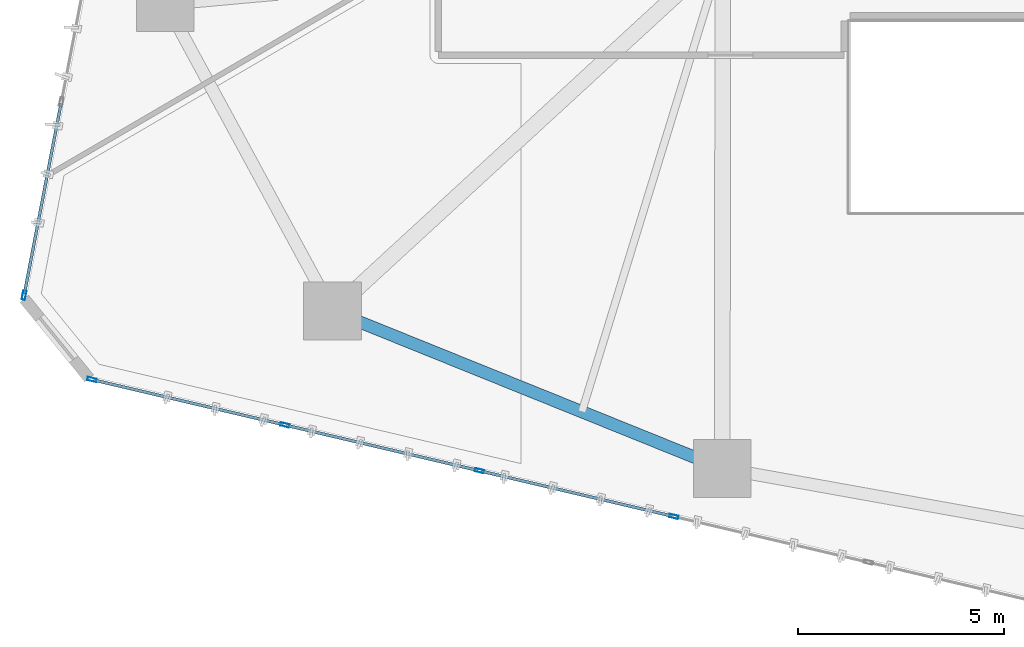
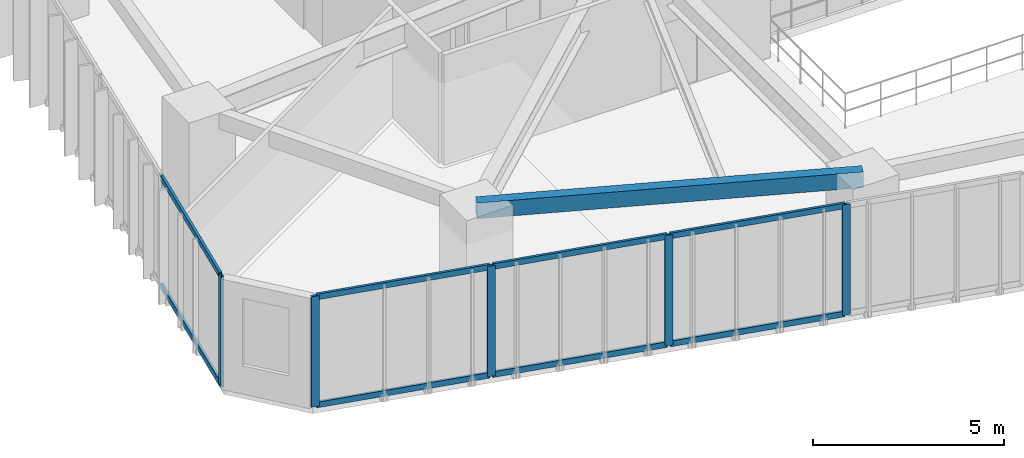
# One storey, part 2 of 23: 13 members, 1 beam, 2 elements without a shape of their own.
"""IFC4 building model written with IfcOpenShell, lengths in metres."""

from ifc_helpers import new_model, si_unit, direction, frame, origin, origin_2d, place, context, subcontext, project, spatial, hollow_rectangle, extrude, source, transform, mapped, material, layer, layer_set, material_profile, profile_set, type_object, type_shapes, element, aggregate, save


model = new_model("IFC4")

# Units and contexts
model_context = context("Model", 3, precision=1e-05, world=origin(), true_north=direction((0.0, 1.0)))
body_context = subcontext(model_context, "Body", "Model", "MODEL_VIEW")
ifc_project = project(units=[si_unit("LENGTHUNIT", "METRE"), si_unit("AREAUNIT", "SQUARE_METRE"), si_unit("VOLUMEUNIT", "CUBIC_METRE"), si_unit("PLANEANGLEUNIT", "RADIAN"), si_unit("MASSUNIT", "GRAM", prefix="KILO")], contexts=[model_context])

# Site, building, storey
site_placement = place(None, origin())
site = spatial("IfcSite", under=ifc_project, at=site_placement, CompositionType="ELEMENT")
building_placement = place(site_placement, origin())
building = spatial("IfcBuilding", under=site, at=building_placement, Name="Talar Marvaseh", CompositionType="ELEMENT")
storey_placement = place(building_placement, frame((0.0, 0.0, 50.60009765625)))
storey = spatial("IfcBuildingStorey", under=building, at=storey_placement, Name="L12", CompositionType="ELEMENT", Elevation=50.60009765625)

# Beam
ifc_material_1 = material(Name="Steel S355", Category="steel")
ifc_material_profile_1 = material_profile(ifc_material_1, hollow_rectangle(XDim=0.300048828125, YDim=0.5, WallThickness=0.02001953125, at=origin_2d()), Name="RHS500x300x20")
ifc_profile_set_1 = profile_set([ifc_material_profile_1], Name="Steel S355")
beam_type = type_object("IfcBeamType", Name="Zone 1 Perimeter Spandrel Beam RHS500x300x20", PredefinedType="SPANDREL", material=ifc_profile_set_1)
beam_placement = place(storey_placement, frame((18.68310546875, 12.97900390625, 3.27001953125), z_axis=(-0.927239278118, 0.374469386084, 0.0), x_axis=(-0.374469386084, -0.927239278118, 0.0)))
element("IfcBeam", 1, at=beam_placement, inside=storey, type_object=beam_type, Name="L12 Zone 1 Perimeter Spandrel Beam RHS500x300x20", PredefinedType="SPANDREL", context=body_context, shape_type="SweptSolid", body=[
    extrude(hollow_rectangle(XDim=0.300048828125, YDim=0.5, WallThickness=0.02001953125, at=origin_2d()), origin(), (0.0, 0.0, 1.0), 10.19287109375),
])

# Curtain wall, member
ifc_material_2 = material(Name="Architectural Aluminium", Category="aluminium")
ifc_layer = layer(ifc_material_2, 0.219970703125)
ifc_layer_set = layer_set([ifc_layer], Name="Architectural Aluminium")
curtain_wall_type = type_object("IfcCurtainWallType", Name="Unitised Low-E Museum Curtain Wall Z1", PredefinedType="NOTDEFINED", material=ifc_layer_set)
curtain_wall_1_placement = place(storey_placement, origin())
curtain_wall_1 = element("IfcCurtainWall", 2, at=curtain_wall_1_placement, inside=storey, type_object=curtain_wall_type, Name="L12 Unitised Low-E Museum Curtain Wall Z1", PredefinedType="NOTDEFINED")
ifc_material_profile_2 = material_profile(ifc_material_2, hollow_rectangle(XDim=0.080078125, YDim=0.219970703125, WallThickness=0.0048828125, at=origin_2d()), Name="RHS220x80x5")
ifc_profile_set_2 = profile_set([ifc_material_profile_2], Name="Architectural Aluminium")
member_type_1 = type_object("IfcMemberType", Name="Unitised Curtain Wall Heavy Mullion RHS220x80x5", PredefinedType="MULLION", material=ifc_profile_set_2)
shared_shape_1 = source(origin(), body_context, "Body", "SweptSolid", [
    extrude(hollow_rectangle(XDim=0.080078125, YDim=0.219970703125, WallThickness=0.0048828125, at=origin_2d()), origin(), (0.0, 0.0, 1.0), 3.52001953125),
])
type_shapes(member_type_1, [shared_shape_1])
member_1_placement = place(storey_placement, frame((1.755126953125, 17.177490234375, 0.0), z_axis=(0.0, 0.0, 1.0), x_axis=(-0.981945681466, 0.189163100658, 0.0)))
member_1 = element("IfcMember", 3, at=member_1_placement, type_object=member_type_1, Name="CW-Z1 mullion 1", PredefinedType="MULLION", context=body_context, shape_type="MappedRepresentation", body=[
    mapped(shared_shape_1, transform((0.0, 0.0, 0.0), x_axis=(1.0, 0.0, 0.0), y_axis=(0.0, 1.0, 0.0), z_axis=(0.0, 0.0, 1.0), scale=1.0)),
])

# Curtain wall, members
curtain_wall_2_placement = place(storey_placement, origin())
curtain_wall_2 = element("IfcCurtainWall", 4, at=curtain_wall_2_placement, inside=storey, type_object=curtain_wall_type, Name="L12 Unitised Low-E Museum Curtain Wall Z1", PredefinedType="NOTDEFINED")
member_2_placement = place(storey_placement, frame((17.511474609375, 11.813232421875, 0.0), z_axis=(0.0, 0.0, 1.0), x_axis=(-0.229053137738, -0.973413920227, 0.0)))
member_2 = element("IfcMember", 5, at=member_2_placement, type_object=member_type_1, Name="CW-Z1 mullion 3", PredefinedType="MULLION", context=body_context, shape_type="MappedRepresentation", body=[
    mapped(shared_shape_1, transform((0.0, 0.0, 0.0), x_axis=(1.0, 0.0, 0.0), y_axis=(0.0, 1.0, 0.0), z_axis=(0.0, 0.0, 1.0), scale=1.0)),
])
member_3_placement = place(storey_placement, frame((12.794921875, 12.923095703125, 0.0), z_axis=(0.0, 0.0, 1.0), x_axis=(-0.229053137738, -0.973413920227, 0.0)))
member_3 = element("IfcMember", 6, at=member_3_placement, type_object=member_type_1, Name="CW-Z1 mullion 4", PredefinedType="MULLION", context=body_context, shape_type="MappedRepresentation", body=[
    mapped(shared_shape_1, transform((0.0, 0.0, 0.0), x_axis=(1.0, 0.0, 0.0), y_axis=(0.0, 1.0, 0.0), z_axis=(0.0, 0.0, 1.0), scale=1.0)),
])
member_4_placement = place(storey_placement, frame((8.078369140625, 14.032958984375, 0.0), z_axis=(0.0, 0.0, 1.0), x_axis=(-0.229053137738, -0.973413920227, 0.0)))
member_4 = element("IfcMember", 7, at=member_4_placement, type_object=member_type_1, Name="CW-Z1 mullion 5", PredefinedType="MULLION", context=body_context, shape_type="MappedRepresentation", body=[
    mapped(shared_shape_1, transform((0.0, 0.0, 0.0), x_axis=(1.0, 0.0, 0.0), y_axis=(0.0, 1.0, 0.0), z_axis=(0.0, 0.0, 1.0), scale=1.0)),
])
member_5_placement = place(storey_placement, frame((3.40087890625, 15.133544921875, 0.0), z_axis=(0.0, 0.0, 1.0), x_axis=(-0.229053137738, -0.973413920227, 0.0)))
member_5 = element("IfcMember", 8, at=member_5_placement, type_object=member_type_1, Name="CW-Z1 mullion 6", PredefinedType="MULLION", context=body_context, shape_type="MappedRepresentation", body=[
    mapped(shared_shape_1, transform((0.0, 0.0, 0.0), x_axis=(1.0, 0.0, 0.0), y_axis=(0.0, 1.0, 0.0), z_axis=(0.0, 0.0, 1.0), scale=1.0)),
])
ifc_material_profile_3 = material_profile(ifc_material_2, hollow_rectangle(XDim=0.074951171875, YDim=0.179931640625, WallThickness=0.0048828125, at=origin_2d()), Name="RHS180x75x5")
ifc_profile_set_3 = profile_set([ifc_material_profile_3], Name="Architectural Aluminium")
member_type_2 = type_object("IfcMemberType", Name="Unitised Curtain Wall Transom RHS180x75x5", PredefinedType="USERDEFINED", material=ifc_profile_set_3)
shared_shape_2 = source(origin(), body_context, "Body", "SweptSolid", [
    extrude(hollow_rectangle(XDim=0.074951171875, YDim=0.179931640625, WallThickness=0.0048828125, at=origin_2d()), origin(), (0.0, 0.0, 1.0), 4.725341796875),
])
member_6_placement = place(storey_placement, frame((8.03955078125, 14.042236328125, 0.037353515625), z_axis=(-0.973419201014, 0.22903069466, 0.0), x_axis=(-0.22903069466, -0.973419201014, 0.0)))
member_6 = element("IfcMember", 9, at=member_6_placement, type_object=member_type_2, Name="CW-Z1 transom 5.1", ObjectType="TRANSOM", PredefinedType="USERDEFINED", context=body_context, shape_type="MappedRepresentation", body=[
    mapped(shared_shape_2, transform((0.0, 0.0, 0.0), x_axis=(1.0, 0.0, 0.0), y_axis=(0.0, 1.0, 0.0), z_axis=(0.0, 0.0, 1.0), scale=1.0)),
])
member_7_placement = place(storey_placement, frame((8.03955078125, 14.042236328125, 3.482421875), z_axis=(-0.973419201014, 0.22903069466, 0.0), x_axis=(-0.22903069466, -0.973419201014, 0.0)))
member_7 = element("IfcMember", 10, at=member_7_placement, type_object=member_type_2, Name="CW-Z1 transom 5.2", ObjectType="TRANSOM", PredefinedType="USERDEFINED", context=body_context, shape_type="MappedRepresentation", body=[
    mapped(shared_shape_2, transform((0.0, 0.0, 0.0), x_axis=(1.0, 0.0, 0.0), y_axis=(0.0, 1.0, 0.0), z_axis=(0.0, 0.0, 1.0), scale=1.0)),
])
shared_shape_3 = source(origin(), body_context, "Body", "SweptSolid", [
    extrude(hollow_rectangle(XDim=0.074951171875, YDim=0.179931640625, WallThickness=0.0048828125, at=origin_2d()), origin(), (0.0, 0.0, 1.0), 4.765380859375),
])
member_8_placement = place(storey_placement, frame((12.756103515625, 12.932373046875, 0.037353515625), z_axis=(-0.973423886975, 0.22901077762, 0.0), x_axis=(-0.22901077762, -0.973423886975, 0.0)))
member_8 = element("IfcMember", 11, at=member_8_placement, type_object=member_type_2, Name="CW-Z1 transom 4.1", ObjectType="TRANSOM", PredefinedType="USERDEFINED", context=body_context, shape_type="MappedRepresentation", body=[
    mapped(shared_shape_3, transform((0.0, 0.0, 0.0), x_axis=(1.0, 0.0, 0.0), y_axis=(0.0, 1.0, 0.0), z_axis=(0.0, 0.0, 1.0), scale=1.0)),
])
member_9_placement = place(storey_placement, frame((12.756103515625, 12.932373046875, 3.482421875), z_axis=(-0.973423886975, 0.22901077762, 0.0), x_axis=(-0.22901077762, -0.973423886975, 0.0)))
member_9 = element("IfcMember", 12, at=member_9_placement, type_object=member_type_2, Name="CW-Z1 transom 4.2", ObjectType="TRANSOM", PredefinedType="USERDEFINED", context=body_context, shape_type="MappedRepresentation", body=[
    mapped(shared_shape_3, transform((0.0, 0.0, 0.0), x_axis=(1.0, 0.0, 0.0), y_axis=(0.0, 1.0, 0.0), z_axis=(0.0, 0.0, 1.0), scale=1.0)),
])
shared_shape_4 = source(origin(), body_context, "Body", "SweptSolid", [
    extrude(hollow_rectangle(XDim=0.074951171875, YDim=0.179931640625, WallThickness=0.0048828125, at=origin_2d()), origin(), (0.0, 0.0, 1.0), 4.76513671875),
])
member_10_placement = place(storey_placement, frame((17.472412109375, 11.822509765625, 0.037353515625), z_axis=(-0.973409776578, 0.229070746412, 0.0), x_axis=(-0.229070746412, -0.973409776578, 0.0)))
member_10 = element("IfcMember", 13, at=member_10_placement, type_object=member_type_2, Name="CW-Z1 transom 3.1", ObjectType="TRANSOM", PredefinedType="USERDEFINED", context=body_context, shape_type="MappedRepresentation", body=[
    mapped(shared_shape_4, transform((0.0, 0.0, 0.0), x_axis=(1.0, 0.0, 0.0), y_axis=(0.0, 1.0, 0.0), z_axis=(0.0, 0.0, 1.0), scale=1.0)),
])
member_11_placement = place(storey_placement, frame((17.472412109375, 11.822509765625, 3.482421875), z_axis=(-0.973409776578, 0.229070746412, 0.0), x_axis=(-0.229070746412, -0.973409776578, 0.0)))
member_11 = element("IfcMember", 14, at=member_11_placement, type_object=member_type_2, Name="CW-Z1 transom 3.2", ObjectType="TRANSOM", PredefinedType="USERDEFINED", context=body_context, shape_type="MappedRepresentation", body=[
    mapped(shared_shape_4, transform((0.0, 0.0, 0.0), x_axis=(1.0, 0.0, 0.0), y_axis=(0.0, 1.0, 0.0), z_axis=(0.0, 0.0, 1.0), scale=1.0)),
])
aggregate(curtain_wall_2, [member_2, member_3, member_4, member_5, member_10, member_11, member_8, member_9, member_6, member_7])

# Member
shared_shape_5 = source(origin(), body_context, "Body", "SweptSolid", [
    extrude(hollow_rectangle(XDim=0.074951171875, YDim=0.179931640625, WallThickness=0.0048828125, at=origin_2d()), origin(), (0.0, 0.0, 1.0), 4.696533203125),
])
type_shapes(member_type_2, [shared_shape_2, shared_shape_3, shared_shape_4, shared_shape_5])
member_12_placement = place(storey_placement, frame((1.7626953125, 17.216796875, 0.037353515625), z_axis=(0.189163578603, 0.981945589394, 0.0), x_axis=(-0.981945589394, 0.189163578603, 0.0)))
member_12 = element("IfcMember", 15, at=member_12_placement, type_object=member_type_2, Name="CW-Z1 transom 1.1", ObjectType="TRANSOM", PredefinedType="USERDEFINED", context=body_context, shape_type="MappedRepresentation", body=[
    mapped(shared_shape_5, transform((0.0, 0.0, 0.0), x_axis=(1.0, 0.0, 0.0), y_axis=(0.0, 1.0, 0.0), z_axis=(0.0, 0.0, 1.0), scale=1.0)),
])

member_13_placement = place(storey_placement, frame((1.7626953125, 17.216796875, 3.482421875), z_axis=(0.189163578603, 0.981945589394, 0.0), x_axis=(-0.981945589394, 0.189163578603, 0.0)))
member_13 = element("IfcMember", 16, at=member_13_placement, type_object=member_type_2, Name="CW-Z1 transom 1.2", ObjectType="TRANSOM", PredefinedType="USERDEFINED", context=body_context, shape_type="MappedRepresentation", body=[
    mapped(shared_shape_5, transform((0.0, 0.0, 0.0), x_axis=(1.0, 0.0, 0.0), y_axis=(0.0, 1.0, 0.0), z_axis=(0.0, 0.0, 1.0), scale=1.0)),
])

aggregate(curtain_wall_1, [member_1, member_12, member_13])

save(model, "model.ifc")
